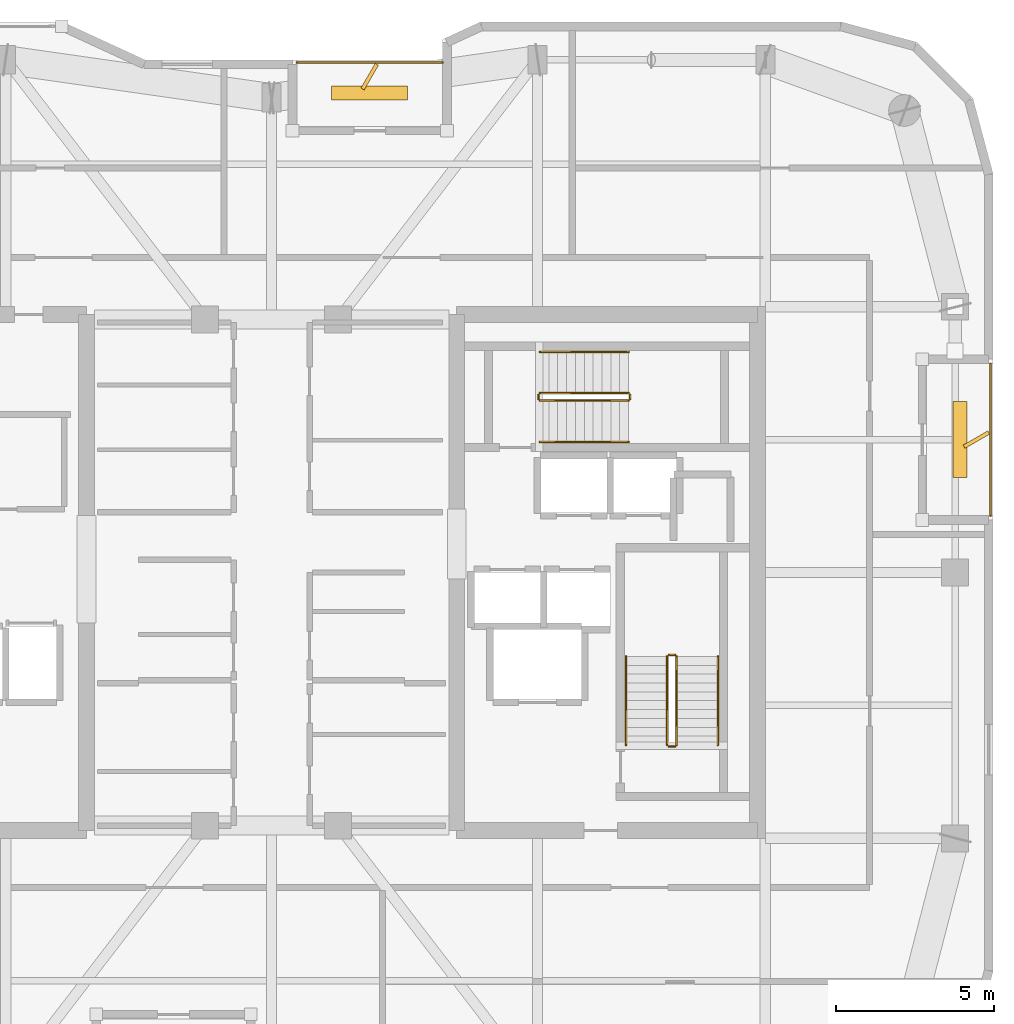
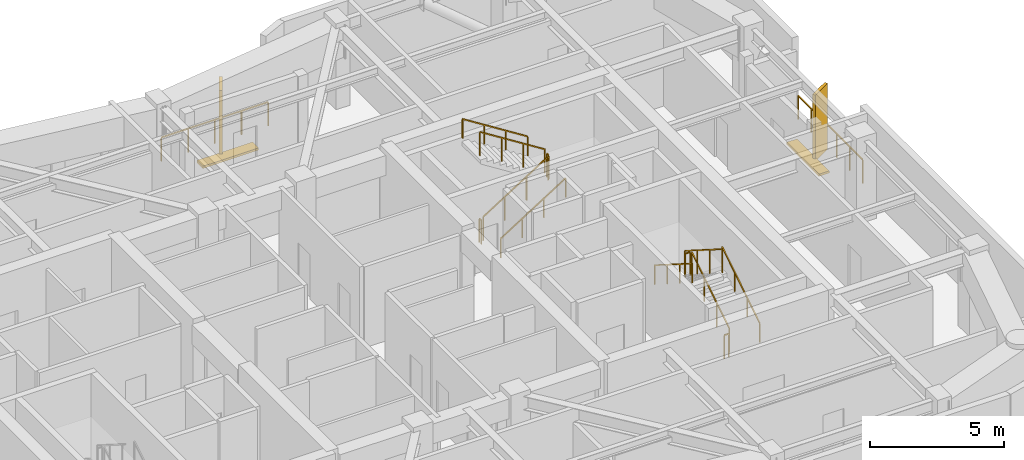
# One storey, part 16 of 16: 14 railings, 4 shading devices.
"""IFC4 building model written with IfcOpenShell, lengths in metres."""

from ifc_helpers import new_model, si_unit, direction, frame, origin, origin_2d, place, context, subcontext, project, spatial, rectangle, extrude, material, type_object, element, save


model = new_model("IFC4")

# Units and contexts
model_context = context("Model", 3, precision=1e-05, world=origin(), true_north=direction((0.0, 1.0)))
body_context = subcontext(model_context, "Body", "Model", "MODEL_VIEW")
ifc_project = project(units=[si_unit("LENGTHUNIT", "METRE"), si_unit("AREAUNIT", "SQUARE_METRE"), si_unit("VOLUMEUNIT", "CUBIC_METRE"), si_unit("PLANEANGLEUNIT", "RADIAN"), si_unit("MASSUNIT", "GRAM", prefix="KILO")], contexts=[model_context])

# Site, building, storey
site_placement = place(None, origin())
site = spatial("IfcSite", under=ifc_project, at=site_placement, CompositionType="ELEMENT")
building_placement = place(site_placement, origin())
building = spatial("IfcBuilding", under=site, at=building_placement, Name="Kiyonajd Concourse Tower", CompositionType="ELEMENT")
storey_placement = place(building_placement, frame((0.0, 0.0, 325.800048828125)))
storey = spatial("IfcBuildingStorey", under=building, at=storey_placement, Name="L82", CompositionType="ELEMENT", Elevation=325.800048828125)

# Railings
ifc_material_1 = material(Name="Thermally Broken Anodised Aluminium", Category="aluminium")
railing_type_1 = type_object("IfcRailingType", Name="RL-GRD-LOG", PredefinedType="GUARDRAIL", material=ifc_material_1)
railing_1_placement = place(storey_placement, frame((53.39990234375, 52.1201171875, 0.0)))
element("IfcRailing", 1, at=railing_1_placement, inside=storey, type_object=railing_type_1, Name="L82 Engawa Loggia Perimeter Guard LOG-N", PredefinedType="GUARDRAIL", context=body_context, shape_type="SweptSolid", body=[
    extrude(rectangle(XDim=0.048095703125, YDim=0.048095703125, at=origin_2d()), frame((0.0, 0.0, 1.076171875), z_axis=(-1.0, 0.0, 0.0), x_axis=(0.0, -1.0, 0.0)), (0.0, 0.0, 1.0), 4.599853515625),
    extrude(rectangle(XDim=0.0419921875, YDim=0.0419921875, at=origin_2d()), origin(), (0.0, 0.0, 1.0), 1.052001953125),
    extrude(rectangle(XDim=0.0419921875, YDim=0.0419921875, at=origin_2d()), frame((-1.14990234375, 0.0, 0.0)), (0.0, 0.0, 1.0), 1.052001953125),
    extrude(rectangle(XDim=0.0419921875, YDim=0.0419921875, at=origin_2d()), frame((-2.2998046875, 0.0, 0.0)), (0.0, 0.0, 1.0), 1.052001953125),
    extrude(rectangle(XDim=0.0419921875, YDim=0.0419921875, at=origin_2d()), frame((-3.449951171875, 0.0, 0.0)), (0.0, 0.0, 1.0), 1.052001953125),
    extrude(rectangle(XDim=0.0419921875, YDim=0.0419921875, at=origin_2d()), frame((-4.599853515625, 0.0, 0.0)), (0.0, 0.0, 1.0), 1.052001953125),
])
railing_2_placement = place(storey_placement, frame((70.719970703125, 37.800048828125, 0.0)))
element("IfcRailing", 2, at=railing_2_placement, inside=storey, type_object=railing_type_1, Name="L82 Engawa Loggia Perimeter Guard LOG-E", PredefinedType="GUARDRAIL", context=body_context, shape_type="SweptSolid", body=[
    extrude(rectangle(XDim=0.048095703125, YDim=0.048095703125, at=origin_2d()), frame((0.0, 0.0, 1.076171875), z_axis=(0.0, 1.0, 0.0), x_axis=(-1.0, 0.0, 0.0)), (0.0, 0.0, 1.0), 4.800048828125),
    extrude(rectangle(XDim=0.0419921875, YDim=0.0419921875, at=origin_2d()), origin(), (0.0, 0.0, 1.0), 1.052001953125),
    extrude(rectangle(XDim=0.0419921875, YDim=0.0419921875, at=origin_2d()), frame((0.0, 0.9599609375, 0.0)), (0.0, 0.0, 1.0), 1.052001953125),
    extrude(rectangle(XDim=0.0419921875, YDim=0.0419921875, at=origin_2d()), frame((0.0, 1.919921875, 0.0)), (0.0, 0.0, 1.0), 1.052001953125),
    extrude(rectangle(XDim=0.0419921875, YDim=0.0419921875, at=origin_2d()), frame((0.0, 2.880126953125, 0.0)), (0.0, 0.0, 1.0), 1.052001953125),
    extrude(rectangle(XDim=0.0419921875, YDim=0.0419921875, at=origin_2d()), frame((0.0, 3.840087890625, 0.0)), (0.0, 0.0, 1.0), 1.052001953125),
    extrude(rectangle(XDim=0.0419921875, YDim=0.0419921875, at=origin_2d()), frame((0.0, 4.800048828125, 0.0)), (0.0, 0.0, 1.0), 1.052001953125),
])
ifc_material_2 = material(Name="Steel ASTM A500 Grade C", Category="steel")
railing_type_2 = type_object("IfcRailingType", Name="RL-GRD-STR", PredefinedType="GUARDRAIL", material=ifc_material_2)
railing_3_placement = place(storey_placement, frame((60.800048828125, 30.550048828125, 0.17724609375)))
element("IfcRailing", 3, at=railing_3_placement, inside=storey, type_object=railing_type_2, Name="L82 ST2 stair guard 1", PredefinedType="GUARDRAIL", context=body_context, shape_type="SweptSolid", body=[
    extrude(rectangle(XDim=0.048095703125, YDim=0.048095703125, at=origin_2d()), frame((0.0, 0.0, 1.076171875), z_axis=(0.0, 0.844908973607, 0.534910110503), x_axis=(-1.0, 0.0, 0.0)), (0.0, 0.0, 1.0), 3.31396484375),
    extrude(rectangle(XDim=0.0419921875, YDim=0.0419921875, at=origin_2d()), origin(), (0.0, 0.0, 1.0), 1.052001953125),
    extrude(rectangle(XDim=0.0419921875, YDim=0.0419921875, at=origin_2d()), frame((0.0, 0.933349609375, 0.5908203125)), (0.0, 0.0, 1.0), 1.052001953125),
    extrude(rectangle(XDim=0.0419921875, YDim=0.0419921875, at=origin_2d()), frame((0.0, 1.86669921875, 1.181884765625)), (0.0, 0.0, 1.0), 1.052001953125),
    extrude(rectangle(XDim=0.0419921875, YDim=0.0419921875, at=origin_2d()), frame((0.0, 2.800048828125, 1.772705078125)), (0.0, 0.0, 1.0), 1.052001953125),
])
railing_4_placement = place(storey_placement, frame((60.75, 33.39990234375, 1.949951171875)))
element("IfcRailing", 4, at=railing_4_placement, inside=storey, type_object=railing_type_2, Name="L82 ST2 stair guard 2", PredefinedType="GUARDRAIL", context=body_context, shape_type="SweptSolid", body=[
    extrude(rectangle(XDim=0.048095703125, YDim=0.048095703125, at=origin_2d()), frame((0.0, 0.0, 1.076171875), z_axis=(-1.0, 0.0, 0.0), x_axis=(0.0, -1.0, 0.0)), (0.0, 0.0, 1.0), 0.199951171875),
    extrude(rectangle(XDim=0.0419921875, YDim=0.0419921875, at=origin_2d()), origin(), (0.0, 0.0, 1.0), 1.052001953125),
    extrude(rectangle(XDim=0.0419921875, YDim=0.0419921875, at=origin_2d()), frame((-0.199951171875, 0.0, 0.0)), (0.0, 0.0, 1.0), 1.052001953125),
])
railing_5_placement = place(storey_placement, frame((60.5, 33.35009765625, 2.127197265625)))
element("IfcRailing", 5, at=railing_5_placement, inside=storey, type_object=railing_type_2, Name="L82 ST2 stair guard 3", PredefinedType="GUARDRAIL", context=body_context, shape_type="SweptSolid", body=[
    extrude(rectangle(XDim=0.048095703125, YDim=0.048095703125, at=origin_2d()), frame((0.0, 0.0, 1.076171875), z_axis=(0.0, -0.844908973607, 0.534910110503), x_axis=(1.0, 0.0, 0.0)), (0.0, 0.0, 1.0), 3.31396484375),
    extrude(rectangle(XDim=0.0419921875, YDim=0.0419921875, at=origin_2d()), origin(), (0.0, 0.0, 1.0), 1.052001953125),
    extrude(rectangle(XDim=0.0419921875, YDim=0.0419921875, at=origin_2d()), frame((0.0, -0.933349609375, 0.5908203125)), (0.0, 0.0, 1.0), 1.052001953125),
    extrude(rectangle(XDim=0.0419921875, YDim=0.0419921875, at=origin_2d()), frame((0.0, -1.86669921875, 1.181884765625)), (0.0, 0.0, 1.0), 1.052001953125),
    extrude(rectangle(XDim=0.0419921875, YDim=0.0419921875, at=origin_2d()), frame((0.0, -2.800048828125, 1.772705078125)), (0.0, 0.0, 1.0), 1.052001953125),
])
railing_6_placement = place(storey_placement, frame((60.75, 30.5, 0.0)))
element("IfcRailing", 6, at=railing_6_placement, inside=storey, type_object=railing_type_2, Name="L82 ST2 stair guard 4", PredefinedType="GUARDRAIL", context=body_context, shape_type="SweptSolid", body=[
    extrude(rectangle(XDim=0.048095703125, YDim=0.048095703125, at=origin_2d()), frame((0.0, 0.0, 1.076171875), z_axis=(-1.0, 0.0, 0.0), x_axis=(0.0, -1.0, 0.0)), (0.0, 0.0, 1.0), 0.199951171875),
    extrude(rectangle(XDim=0.0419921875, YDim=0.0419921875, at=origin_2d()), origin(), (0.0, 0.0, 1.0), 1.052001953125),
    extrude(rectangle(XDim=0.0419921875, YDim=0.0419921875, at=origin_2d()), frame((-0.199951171875, 0.0, 0.0)), (0.0, 0.0, 1.0), 1.052001953125),
])
railing_7_placement = place(storey_placement, frame((56.47998046875, 41.429931640625, 0.17724609375)))
element("IfcRailing", 7, at=railing_7_placement, inside=storey, type_object=railing_type_2, Name="L82 ST3 stair guard 1", PredefinedType="GUARDRAIL", context=body_context, shape_type="SweptSolid", body=[
    extrude(rectangle(XDim=0.048095703125, YDim=0.048095703125, at=origin_2d()), frame((0.0, 0.0, 1.076171875), z_axis=(0.844908973607, 0.0, 0.534910110503), x_axis=(0.0, 1.0, 0.0)), (0.0, 0.0, 1.0), 3.31396484375),
    extrude(rectangle(XDim=0.0419921875, YDim=0.0419921875, at=origin_2d()), origin(), (0.0, 0.0, 1.0), 1.052001953125),
    extrude(rectangle(XDim=0.0419921875, YDim=0.0419921875, at=origin_2d()), frame((0.933349609375, 0.0, 0.5908203125)), (0.0, 0.0, 1.0), 1.052001953125),
    extrude(rectangle(XDim=0.0419921875, YDim=0.0419921875, at=origin_2d()), frame((1.86669921875, 0.0, 1.181884765625)), (0.0, 0.0, 1.0), 1.052001953125),
    extrude(rectangle(XDim=0.0419921875, YDim=0.0419921875, at=origin_2d()), frame((2.800048828125, 0.0, 1.772705078125)), (0.0, 0.0, 1.0), 1.052001953125),
])
railing_8_placement = place(storey_placement, frame((59.330078125, 41.47998046875, 1.949951171875)))
element("IfcRailing", 8, at=railing_8_placement, inside=storey, type_object=railing_type_2, Name="L82 ST3 stair guard 2", PredefinedType="GUARDRAIL", context=body_context, shape_type="SweptSolid", body=[
    extrude(rectangle(XDim=0.048095703125, YDim=0.048095703125, at=origin_2d()), frame((0.0, 0.0, 1.076171875), z_axis=(0.0, 1.0, 0.0), x_axis=(-1.0, 0.0, 0.0)), (0.0, 0.0, 1.0), 0.14013671875),
    extrude(rectangle(XDim=0.0419921875, YDim=0.0419921875, at=origin_2d()), origin(), (0.0, 0.0, 1.0), 1.052001953125),
    extrude(rectangle(XDim=0.0419921875, YDim=0.0419921875, at=origin_2d()), frame((0.0, 0.14013671875, 0.0)), (0.0, 0.0, 1.0), 1.052001953125),
])
railing_9_placement = place(storey_placement, frame((59.280029296875, 41.669921875, 2.127197265625)))
element("IfcRailing", 9, at=railing_9_placement, inside=storey, type_object=railing_type_2, Name="L82 ST3 stair guard 3", PredefinedType="GUARDRAIL", context=body_context, shape_type="SweptSolid", body=[
    extrude(rectangle(XDim=0.048095703125, YDim=0.048095703125, at=origin_2d()), frame((0.0, 0.0, 1.076171875), z_axis=(-0.844908973607, 0.0, 0.534910110503), x_axis=(0.0, -1.0, 0.0)), (0.0, 0.0, 1.0), 3.31396484375),
    extrude(rectangle(XDim=0.0419921875, YDim=0.0419921875, at=origin_2d()), origin(), (0.0, 0.0, 1.0), 1.052001953125),
    extrude(rectangle(XDim=0.0419921875, YDim=0.0419921875, at=origin_2d()), frame((-0.933349609375, 0.0, 0.5908203125)), (0.0, 0.0, 1.0), 1.052001953125),
    extrude(rectangle(XDim=0.0419921875, YDim=0.0419921875, at=origin_2d()), frame((-1.86669921875, 0.0, 1.181884765625)), (0.0, 0.0, 1.0), 1.052001953125),
    extrude(rectangle(XDim=0.0419921875, YDim=0.0419921875, at=origin_2d()), frame((-2.800048828125, 0.0, 1.772705078125)), (0.0, 0.0, 1.0), 1.052001953125),
])
railing_10_placement = place(storey_placement, frame((56.429931640625, 41.47998046875, 0.0)))
element("IfcRailing", 10, at=railing_10_placement, inside=storey, type_object=railing_type_2, Name="L82 ST3 stair guard 4", PredefinedType="GUARDRAIL", context=body_context, shape_type="SweptSolid", body=[
    extrude(rectangle(XDim=0.048095703125, YDim=0.048095703125, at=origin_2d()), frame((0.0, 0.0, 1.076171875), z_axis=(0.0, 1.0, 0.0), x_axis=(-1.0, 0.0, 0.0)), (0.0, 0.0, 1.0), 0.14013671875),
    extrude(rectangle(XDim=0.0419921875, YDim=0.0419921875, at=origin_2d()), origin(), (0.0, 0.0, 1.0), 1.052001953125),
    extrude(rectangle(XDim=0.0419921875, YDim=0.0419921875, at=origin_2d()), frame((0.0, 0.14013671875, 0.0)), (0.0, 0.0, 1.0), 1.052001953125),
])
ifc_material_3 = material(Name="Brushed Stainless Steel Cab Assembly", Category="steel")
railing_type_3 = type_object("IfcRailingType", Name="RL-HND-900", PredefinedType="HANDRAIL", material=ifc_material_3)
railing_11_placement = place(storey_placement, frame((62.10009765625, 30.550048828125, 0.17724609375)))
element("IfcRailing", 11, at=railing_11_placement, inside=storey, type_object=railing_type_3, Name="L82 ST2 stair handrail 1", PredefinedType="HANDRAIL", context=body_context, shape_type="SweptSolid", body=[
    extrude(rectangle(XDim=0.048095703125, YDim=0.048095703125, at=origin_2d()), frame((0.0, 0.0, 0.8759765625), z_axis=(0.0, 0.844908973607, 0.534910110503), x_axis=(-1.0, 0.0, 0.0)), (0.0, 0.0, 1.0), 3.31396484375),
    extrude(rectangle(XDim=0.0419921875, YDim=0.0419921875, at=origin_2d()), origin(), (0.0, 0.0, 1.0), 0.851806640625),
    extrude(rectangle(XDim=0.0419921875, YDim=0.0419921875, at=origin_2d()), frame((0.0, 0.933349609375, 0.5908203125)), (0.0, 0.0, 1.0), 0.851806640625),
    extrude(rectangle(XDim=0.0419921875, YDim=0.0419921875, at=origin_2d()), frame((0.0, 1.86669921875, 1.181884765625)), (0.0, 0.0, 1.0), 0.851806640625),
    extrude(rectangle(XDim=0.0419921875, YDim=0.0419921875, at=origin_2d()), frame((0.0, 2.800048828125, 1.772705078125)), (0.0, 0.0, 1.0), 0.851806640625),
])
railing_12_placement = place(storey_placement, frame((59.199951171875, 33.35009765625, 2.127197265625)))
element("IfcRailing", 12, at=railing_12_placement, inside=storey, type_object=railing_type_3, Name="L82 ST2 stair handrail 2", PredefinedType="HANDRAIL", context=body_context, shape_type="SweptSolid", body=[
    extrude(rectangle(XDim=0.048095703125, YDim=0.048095703125, at=origin_2d()), frame((0.0, 0.0, 0.8759765625), z_axis=(0.0, -0.844908973607, 0.534910110503), x_axis=(1.0, 0.0, 0.0)), (0.0, 0.0, 1.0), 3.31396484375),
    extrude(rectangle(XDim=0.0419921875, YDim=0.0419921875, at=origin_2d()), origin(), (0.0, 0.0, 1.0), 0.851806640625),
    extrude(rectangle(XDim=0.0419921875, YDim=0.0419921875, at=origin_2d()), frame((0.0, -0.933349609375, 0.5908203125)), (0.0, 0.0, 1.0), 0.851806640625),
    extrude(rectangle(XDim=0.0419921875, YDim=0.0419921875, at=origin_2d()), frame((0.0, -1.86669921875, 1.181884765625)), (0.0, 0.0, 1.0), 0.851806640625),
    extrude(rectangle(XDim=0.0419921875, YDim=0.0419921875, at=origin_2d()), frame((0.0, -2.800048828125, 1.772705078125)), (0.0, 0.0, 1.0), 0.851806640625),
])
railing_13_placement = place(storey_placement, frame((56.47998046875, 40.1298828125, 0.17724609375)))
element("IfcRailing", 13, at=railing_13_placement, inside=storey, type_object=railing_type_3, Name="L82 ST3 stair handrail 1", PredefinedType="HANDRAIL", context=body_context, shape_type="SweptSolid", body=[
    extrude(rectangle(XDim=0.048095703125, YDim=0.048095703125, at=origin_2d()), frame((0.0, 0.0, 0.8759765625), z_axis=(0.844908973607, 0.0, 0.534910110503), x_axis=(0.0, 1.0, 0.0)), (0.0, 0.0, 1.0), 3.31396484375),
    extrude(rectangle(XDim=0.0419921875, YDim=0.0419921875, at=origin_2d()), origin(), (0.0, 0.0, 1.0), 0.851806640625),
    extrude(rectangle(XDim=0.0419921875, YDim=0.0419921875, at=origin_2d()), frame((0.933349609375, 0.0, 0.5908203125)), (0.0, 0.0, 1.0), 0.851806640625),
    extrude(rectangle(XDim=0.0419921875, YDim=0.0419921875, at=origin_2d()), frame((1.86669921875, 0.0, 1.181884765625)), (0.0, 0.0, 1.0), 0.851806640625),
    extrude(rectangle(XDim=0.0419921875, YDim=0.0419921875, at=origin_2d()), frame((2.800048828125, 0.0, 1.772705078125)), (0.0, 0.0, 1.0), 0.851806640625),
])
railing_14_placement = place(storey_placement, frame((59.280029296875, 42.969970703125, 2.127197265625)))
element("IfcRailing", 14, at=railing_14_placement, inside=storey, type_object=railing_type_3, Name="L82 ST3 stair handrail 2", PredefinedType="HANDRAIL", context=body_context, shape_type="SweptSolid", body=[
    extrude(rectangle(XDim=0.048095703125, YDim=0.048095703125, at=origin_2d()), frame((0.0, 0.0, 0.8759765625), z_axis=(-0.844908973607, 0.0, 0.534910110503), x_axis=(0.0, -1.0, 0.0)), (0.0, 0.0, 1.0), 3.31396484375),
    extrude(rectangle(XDim=0.0419921875, YDim=0.0419921875, at=origin_2d()), origin(), (0.0, 0.0, 1.0), 0.851806640625),
    extrude(rectangle(XDim=0.0419921875, YDim=0.0419921875, at=origin_2d()), frame((-0.933349609375, 0.0, 0.5908203125)), (0.0, 0.0, 1.0), 0.851806640625),
    extrude(rectangle(XDim=0.0419921875, YDim=0.0419921875, at=origin_2d()), frame((-1.86669921875, 0.0, 1.181884765625)), (0.0, 0.0, 1.0), 0.851806640625),
    extrude(rectangle(XDim=0.0419921875, YDim=0.0419921875, at=origin_2d()), frame((-2.800048828125, 0.0, 1.772705078125)), (0.0, 0.0, 1.0), 0.851806640625),
])

# Shading devices
ifc_material_4 = material(Name="Precast concrete C50/60", Category="concrete")
shading_device_type_1 = type_object("IfcShadingDeviceType", Name="SH-FIN-900", PredefinedType="USERDEFINED", material=ifc_material_4)
for number, where, z_axis, x_axis, name in (
    (15, (51.10009765625, 51.669921875, 0.0), (0.0, 0.0, 1.0), (0.5, 0.866025403784, 0.0), "L82 Angled Koshi Solar Fin LOG-N"),
    (16, (70.27001953125, 40.199951171875, 0.0), (0.0, 0.0, 1.0), (0.866025403784, 0.5, 0.0), "L82 Angled Koshi Solar Fin LOG-E"),
):
    element("IfcShadingDevice", number, at=place(storey_placement, frame(where, z_axis=z_axis, x_axis=x_axis)), inside=storey, type_object=shading_device_type_1, Name=name, ObjectType="FIN", PredefinedType="USERDEFINED", context=body_context, shape_type="SweptSolid", body=[
        extrude(rectangle(XDim=0.89990234375, YDim=0.1201171875, at=origin_2d()), origin(), (0.0, 0.0, 1.0), 3.0),
    ])
shading_device_type_2 = type_object("IfcShadingDeviceType", Name="SH-LVR-600", PredefinedType="JALOUSIE", material=ifc_material_1)
for number, where, z_axis, x_axis, name in (
    (17, (51.10009765625, 51.14990234375, 0.0), (0.0, 0.0, 1.0), (1.0, 0.0, 0.0), "L82 Loggia Threshold Louver LOG-N"),
    (18, (69.75, 40.199951171875, 0.0), (0.0, 0.0, 1.0), (0.0, 1.0, 0.0), "L82 Loggia Threshold Louver LOG-E"),
):
    element("IfcShadingDevice", number, at=place(storey_placement, frame(where, z_axis=z_axis, x_axis=x_axis)), inside=storey, type_object=shading_device_type_2, Name=name, PredefinedType="JALOUSIE", context=body_context, shape_type="SweptSolid", body=[
        extrude(rectangle(XDim=2.39990234375, YDim=0.449951171875, at=origin_2d()), origin(), (0.0, 0.0, 1.0), 0.10009765625),
    ])

save(model, "model.ifc")
